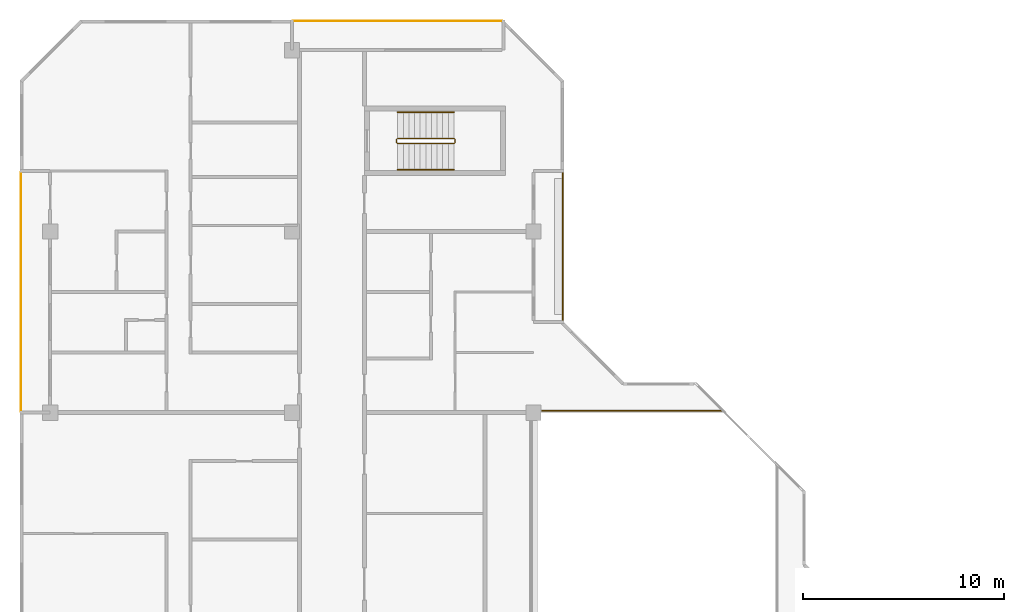
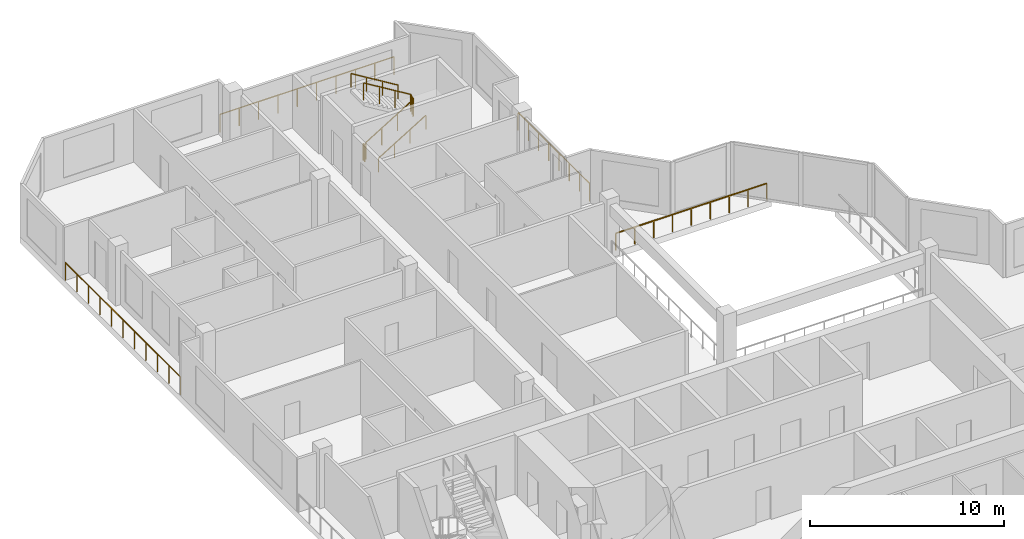
# One storey, part 12 of 12: 7 railings.
"""IFC4 building model written with IfcOpenShell, lengths in metres."""

from ifc_helpers import new_model, si_unit, direction, frame, origin, origin_2d, place, context, subcontext, project, spatial, rectangle, extrude, material, type_object, element, save


model = new_model("IFC4")

# Units and contexts
model_context = context("Model", 3, precision=1e-05, world=origin(), true_north=direction((0.0, 1.0)))
body_context = subcontext(model_context, "Body", "Model", "MODEL_VIEW")
ifc_project = project(units=[si_unit("LENGTHUNIT", "METRE"), si_unit("AREAUNIT", "SQUARE_METRE"), si_unit("VOLUMEUNIT", "CUBIC_METRE"), si_unit("PLANEANGLEUNIT", "RADIAN"), si_unit("MASSUNIT", "GRAM", prefix="KILO")], contexts=[model_context])

# Site, building, storey
site_placement = place(None, origin())
site = spatial("IfcSite", under=ifc_project, at=site_placement, CompositionType="ELEMENT")
building_placement = place(site_placement, origin())
building = spatial("IfcBuilding", under=site, at=building_placement, Name="Chenar Terraces", CompositionType="ELEMENT")
storey_placement = place(building_placement, frame((0.0, 0.0, 350.14990234375)))
storey = spatial("IfcBuildingStorey", under=building, at=storey_placement, Name="L81", CompositionType="ELEMENT", Elevation=350.14990234375)

# Railings
ifc_material_1 = material(Name="Powder-coated steel", Category="steel")
railing_type_1 = type_object("IfcRailingType", Name="Guard 1100 steel rail with glass infill", PredefinedType="GUARDRAIL", material=ifc_material_1)
railing_1_placement = place(storey_placement, frame((24.425048828125, 36.10009765625, 0.0)))
element("IfcRailing", 1, at=railing_1_placement, inside=storey, type_object=railing_type_1, Name="Guard L81-2", PredefinedType="GUARDRAIL", context=body_context, shape_type="SweptSolid", body=[
    extrude(rectangle(XDim=0.06005859375, YDim=0.06005859375, at=origin_2d()), frame((0.0, 0.0, 1.070068359375), z_axis=(1.0, 0.0, 0.0), x_axis=(0.0, 1.0, 0.0)), (0.0, 0.0, 1.0), 8.974853515625),
    extrude(rectangle(XDim=0.050048828125, YDim=0.050048828125, at=origin_2d()), origin(), (0.0, 0.0, 1.0), 1.0400390625),
    extrude(rectangle(XDim=0.050048828125, YDim=0.050048828125, at=origin_2d()), frame((1.121826171875, 0.0, 0.0)), (0.0, 0.0, 1.0), 1.0400390625),
    extrude(rectangle(XDim=0.050048828125, YDim=0.050048828125, at=origin_2d()), frame((2.24365234375, 0.0, 0.0)), (0.0, 0.0, 1.0), 1.0400390625),
    extrude(rectangle(XDim=0.050048828125, YDim=0.050048828125, at=origin_2d()), frame((3.365478515625, 0.0, 0.0)), (0.0, 0.0, 1.0), 1.0400390625),
    extrude(rectangle(XDim=0.050048828125, YDim=0.050048828125, at=origin_2d()), frame((4.4873046875, 0.0, 0.0)), (0.0, 0.0, 1.0), 1.0400390625),
    extrude(rectangle(XDim=0.050048828125, YDim=0.050048828125, at=origin_2d()), frame((5.609375, 0.0, 0.0)), (0.0, 0.0, 1.0), 1.0400390625),
    extrude(rectangle(XDim=0.050048828125, YDim=0.050048828125, at=origin_2d()), frame((6.731201171875, 0.0, 0.0)), (0.0, 0.0, 1.0), 1.0400390625),
    extrude(rectangle(XDim=0.050048828125, YDim=0.050048828125, at=origin_2d()), frame((7.85302734375, 0.0, 0.0)), (0.0, 0.0, 1.0), 1.0400390625),
    extrude(rectangle(XDim=0.050048828125, YDim=0.050048828125, at=origin_2d()), frame((8.974853515625, 0.0, 0.0)), (0.0, 0.0, 1.0), 1.0400390625),
])
ifc_material_2 = material(Name="Stainless steel and glass", Category="steel")
railing_type_2 = type_object("IfcRailingType", Name="Loggia guard 1150", PredefinedType="GUARDRAIL", material=ifc_material_2)
railing_2_placement = place(storey_placement, frame((25.449951171875, 40.574951171875, 0.0)))
element("IfcRailing", 2, at=railing_2_placement, inside=storey, type_object=railing_type_2, Name="Loggia guard", PredefinedType="GUARDRAIL", context=body_context, shape_type="SweptSolid", body=[
    extrude(rectangle(XDim=0.048095703125, YDim=0.048095703125, at=origin_2d()), frame((0.0, 0.0, 1.1259765625), z_axis=(0.0, 1.0, 0.0), x_axis=(-1.0, 0.0, 0.0)), (0.0, 0.0, 1.0), 7.35009765625),
    extrude(rectangle(XDim=0.0419921875, YDim=0.0419921875, at=origin_2d()), origin(), (0.0, 0.0, 1.0), 1.101806640625),
    extrude(rectangle(XDim=0.0419921875, YDim=0.0419921875, at=origin_2d()), frame((0.0, 1.050048828125, 0.0)), (0.0, 0.0, 1.0), 1.101806640625),
    extrude(rectangle(XDim=0.0419921875, YDim=0.0419921875, at=origin_2d()), frame((0.0, 2.10009765625, 0.0)), (0.0, 0.0, 1.0), 1.101806640625),
    extrude(rectangle(XDim=0.0419921875, YDim=0.0419921875, at=origin_2d()), frame((0.0, 3.150146484375, 0.0)), (0.0, 0.0, 1.0), 1.101806640625),
    extrude(rectangle(XDim=0.0419921875, YDim=0.0419921875, at=origin_2d()), frame((0.0, 4.199951171875, 0.0)), (0.0, 0.0, 1.0), 1.101806640625),
    extrude(rectangle(XDim=0.0419921875, YDim=0.0419921875, at=origin_2d()), frame((0.0, 5.25, 0.0)), (0.0, 0.0, 1.0), 1.101806640625),
    extrude(rectangle(XDim=0.0419921875, YDim=0.0419921875, at=origin_2d()), frame((0.0, 6.300048828125, 0.0)), (0.0, 0.0, 1.0), 1.101806640625),
    extrude(rectangle(XDim=0.0419921875, YDim=0.0419921875, at=origin_2d()), frame((0.0, 7.35009765625, 0.0)), (0.0, 0.0, 1.0), 1.101806640625),
])
railing_3_placement = place(storey_placement, frame((22.425048828125, 55.449951171875, 0.0)))
element("IfcRailing", 3, at=railing_3_placement, inside=storey, type_object=railing_type_2, Name="Loggia guard", PredefinedType="GUARDRAIL", context=body_context, shape_type="SweptSolid", body=[
    extrude(rectangle(XDim=0.048095703125, YDim=0.048095703125, at=origin_2d()), frame((0.0, 0.0, 1.1259765625), z_axis=(-1.0, 0.0, 0.0), x_axis=(0.0, -1.0, 0.0)), (0.0, 0.0, 1.0), 10.35009765625),
    extrude(rectangle(XDim=0.0419921875, YDim=0.0419921875, at=origin_2d()), origin(), (0.0, 0.0, 1.0), 1.101806640625),
    extrude(rectangle(XDim=0.0419921875, YDim=0.0419921875, at=origin_2d()), frame((-1.14990234375, 0.0, 0.0)), (0.0, 0.0, 1.0), 1.101806640625),
    extrude(rectangle(XDim=0.0419921875, YDim=0.0419921875, at=origin_2d()), frame((-2.300048828125, 0.0, 0.0)), (0.0, 0.0, 1.0), 1.101806640625),
    extrude(rectangle(XDim=0.0419921875, YDim=0.0419921875, at=origin_2d()), frame((-3.449951171875, 0.0, 0.0)), (0.0, 0.0, 1.0), 1.101806640625),
    extrude(rectangle(XDim=0.0419921875, YDim=0.0419921875, at=origin_2d()), frame((-4.60009765625, 0.0, 0.0)), (0.0, 0.0, 1.0), 1.101806640625),
    extrude(rectangle(XDim=0.0419921875, YDim=0.0419921875, at=origin_2d()), frame((-5.75, 0.0, 0.0)), (0.0, 0.0, 1.0), 1.101806640625),
    extrude(rectangle(XDim=0.0419921875, YDim=0.0419921875, at=origin_2d()), frame((-6.900146484375, 0.0, 0.0)), (0.0, 0.0, 1.0), 1.101806640625),
    extrude(rectangle(XDim=0.0419921875, YDim=0.0419921875, at=origin_2d()), frame((-8.050048828125, 0.0, 0.0)), (0.0, 0.0, 1.0), 1.101806640625),
    extrude(rectangle(XDim=0.0419921875, YDim=0.0419921875, at=origin_2d()), frame((-9.2001953125, 0.0, 0.0)), (0.0, 0.0, 1.0), 1.101806640625),
    extrude(rectangle(XDim=0.0419921875, YDim=0.0419921875, at=origin_2d()), frame((-10.35009765625, 0.0, 0.0)), (0.0, 0.0, 1.0), 1.101806640625),
])
railing_4_placement = place(storey_placement, frame((-1.449951171875, 47.925048828125, 0.0)))
element("IfcRailing", 4, at=railing_4_placement, inside=storey, type_object=railing_type_2, Name="Loggia guard", PredefinedType="GUARDRAIL", context=body_context, shape_type="SweptSolid", body=[
    extrude(rectangle(XDim=0.048095703125, YDim=0.048095703125, at=origin_2d()), frame((0.0, 0.0, 1.1259765625), z_axis=(0.0, -1.0, 0.0), x_axis=(1.0, 0.0, 0.0)), (0.0, 0.0, 1.0), 11.85009765625),
    extrude(rectangle(XDim=0.0419921875, YDim=0.0419921875, at=origin_2d()), origin(), (0.0, 0.0, 1.0), 1.101806640625),
    extrude(rectangle(XDim=0.0419921875, YDim=0.0419921875, at=origin_2d()), frame((0.0, -1.18505859375, 0.0)), (0.0, 0.0, 1.0), 1.101806640625),
    extrude(rectangle(XDim=0.0419921875, YDim=0.0419921875, at=origin_2d()), frame((0.0, -2.3701171875, 0.0)), (0.0, 0.0, 1.0), 1.101806640625),
    extrude(rectangle(XDim=0.0419921875, YDim=0.0419921875, at=origin_2d()), frame((0.0, -3.554931640625, 0.0)), (0.0, 0.0, 1.0), 1.101806640625),
    extrude(rectangle(XDim=0.0419921875, YDim=0.0419921875, at=origin_2d()), frame((0.0, -4.739990234375, 0.0)), (0.0, 0.0, 1.0), 1.101806640625),
    extrude(rectangle(XDim=0.0419921875, YDim=0.0419921875, at=origin_2d()), frame((0.0, -5.925048828125, 0.0)), (0.0, 0.0, 1.0), 1.101806640625),
    extrude(rectangle(XDim=0.0419921875, YDim=0.0419921875, at=origin_2d()), frame((0.0, -7.110107421875, 0.0)), (0.0, 0.0, 1.0), 1.101806640625),
    extrude(rectangle(XDim=0.0419921875, YDim=0.0419921875, at=origin_2d()), frame((0.0, -8.295166015625, 0.0)), (0.0, 0.0, 1.0), 1.101806640625),
    extrude(rectangle(XDim=0.0419921875, YDim=0.0419921875, at=origin_2d()), frame((0.0, -9.47998046875, 0.0)), (0.0, 0.0, 1.0), 1.101806640625),
    extrude(rectangle(XDim=0.0419921875, YDim=0.0419921875, at=origin_2d()), frame((0.0, -10.6650390625, 0.0)), (0.0, 0.0, 1.0), 1.101806640625),
    extrude(rectangle(XDim=0.0419921875, YDim=0.0419921875, at=origin_2d()), frame((0.0, -11.85009765625, 0.0)), (0.0, 0.0, 1.0), 1.101806640625),
])
ifc_material_3 = material(Name="Powder-coated steel", Category="steel")
railing_type_3 = type_object("IfcRailingType", Name="Stair guard 1100", PredefinedType="GUARDRAIL", material=ifc_material_3)
railing_5_placement = place(storey_placement, frame((17.25, 49.625, 3.75)))
element("IfcRailing", 5, at=railing_5_placement, inside=storey, type_object=railing_type_3, Name="L81 ST4 stair guard 1", PredefinedType="GUARDRAIL", context=body_context, shape_type="SweptSolid", body=[
    extrude(rectangle(XDim=0.048095703125, YDim=0.048095703125, at=origin_2d()), frame((0.0, 0.0, 1.076171875), z_axis=(0.854202870247, 0.0, -0.519939858505), x_axis=(0.0, 1.0, 0.0)), (0.0, 0.0, 1.0), 3.278076171875),
    extrude(rectangle(XDim=0.048095703125, YDim=0.048095703125, at=origin_2d()), frame((2.800048828125, 0.0, -0.62841796875), z_axis=(0.270899902878, -0.270899902878, -0.923702595667), x_axis=(0.707106781187, 0.707106781187, 0.0)), (0.0, 0.0, 1.0), 0.184814453125),
    extrude(rectangle(XDim=0.048095703125, YDim=0.048095703125, at=origin_2d()), frame((2.85009765625, -0.050048828125, -0.798828125), z_axis=(0.0, -1.0, 0.0), x_axis=(1.0, 0.0, 0.0)), (0.0, 0.0, 1.0), 0.14990234375),
    extrude(rectangle(XDim=0.048095703125, YDim=0.048095703125, at=origin_2d()), frame((2.85009765625, -0.199951171875, -0.798828125), z_axis=(-0.707106781187, -0.707106781187, 0.0), x_axis=(0.707106781187, -0.707106781187, 0.0)), (0.0, 0.0, 1.0), 0.07080078125),
    extrude(rectangle(XDim=0.048095703125, YDim=0.048095703125, at=origin_2d()), frame((2.800048828125, -0.25, -0.798828125), z_axis=(-0.854202870247, 0.0, -0.519939858505), x_axis=(0.0, -1.0, 0.0)), (0.0, 0.0, 1.0), 3.278076171875),
    extrude(rectangle(XDim=0.048095703125, YDim=0.048095703125, at=origin_2d()), frame((0.0, -0.25, -2.50341796875), z_axis=(-0.270899902878, 0.270899902878, -0.923702595667), x_axis=(-0.707106781187, -0.707106781187, 0.0)), (0.0, 0.0, 1.0), 0.184814453125),
    extrude(rectangle(XDim=0.048095703125, YDim=0.048095703125, at=origin_2d()), frame((-0.050048828125, -0.199951171875, -2.673828125), z_axis=(0.0, 1.0, 0.0), x_axis=(-1.0, 0.0, 0.0)), (0.0, 0.0, 1.0), 0.14990234375),
    extrude(rectangle(XDim=0.0419921875, YDim=0.0419921875, at=origin_2d()), origin(), (0.0, 0.0, 1.0), 1.052001953125),
    extrude(rectangle(XDim=0.0419921875, YDim=0.0419921875, at=origin_2d()), frame((0.933349609375, 0.0, -0.568115234375)), (0.0, 0.0, 1.0), 1.052001953125),
    extrude(rectangle(XDim=0.0419921875, YDim=0.0419921875, at=origin_2d()), frame((1.86669921875, 0.0, -1.13623046875)), (0.0, 0.0, 1.0), 1.052001953125),
    extrude(rectangle(XDim=0.0419921875, YDim=0.0419921875, at=origin_2d()), frame((2.800048828125, 0.0, -1.704345703125)), (0.0, 0.0, 1.0), 1.052001953125),
    extrude(rectangle(XDim=0.0419921875, YDim=0.0419921875, at=origin_2d()), frame((2.85009765625, -0.050048828125, -1.875)), (0.0, 0.0, 1.0), 1.052001953125),
    extrude(rectangle(XDim=0.0419921875, YDim=0.0419921875, at=origin_2d()), frame((2.85009765625, -0.199951171875, -1.875)), (0.0, 0.0, 1.0), 1.052001953125),
    extrude(rectangle(XDim=0.0419921875, YDim=0.0419921875, at=origin_2d()), frame((2.800048828125, -0.25, -1.875)), (0.0, 0.0, 1.0), 1.052001953125),
    extrude(rectangle(XDim=0.0419921875, YDim=0.0419921875, at=origin_2d()), frame((1.86669921875, -0.25, -2.443115234375)), (0.0, 0.0, 1.0), 1.052001953125),
    extrude(rectangle(XDim=0.0419921875, YDim=0.0419921875, at=origin_2d()), frame((0.933349609375, -0.25, -3.01123046875)), (0.0, 0.0, 1.0), 1.052001953125),
    extrude(rectangle(XDim=0.0419921875, YDim=0.0419921875, at=origin_2d()), frame((0.0, -0.25, -3.579345703125)), (0.0, 0.0, 1.0), 1.052001953125),
    extrude(rectangle(XDim=0.0419921875, YDim=0.0419921875, at=origin_2d()), frame((-0.050048828125, -0.199951171875, -3.75)), (0.0, 0.0, 1.0), 1.052001953125),
    extrude(rectangle(XDim=0.0419921875, YDim=0.0419921875, at=origin_2d()), frame((-0.050048828125, -0.050048828125, -3.75)), (0.0, 0.0, 1.0), 1.052001953125),
])
ifc_material_4 = material(Name="Powder-coated steel", Category="steel")
railing_type_4 = type_object("IfcRailingType", Name="Stair handrail 900", PredefinedType="HANDRAIL", material=ifc_material_4)
railing_6_placement = place(storey_placement, frame((17.25, 48.074951171875, 0.170654296875)))
element("IfcRailing", 6, at=railing_6_placement, inside=storey, type_object=railing_type_4, Name="L81 ST4 stair handrail 1", PredefinedType="HANDRAIL", context=body_context, shape_type="SweptSolid", body=[
    extrude(rectangle(XDim=0.048095703125, YDim=0.048095703125, at=origin_2d()), frame((0.0, 0.0, 0.8759765625), z_axis=(0.854202870247, 0.0, 0.519939858505), x_axis=(0.0, 1.0, 0.0)), (0.0, 0.0, 1.0), 3.278076171875),
    extrude(rectangle(XDim=0.0419921875, YDim=0.0419921875, at=origin_2d()), origin(), (0.0, 0.0, 1.0), 0.851806640625),
    extrude(rectangle(XDim=0.0419921875, YDim=0.0419921875, at=origin_2d()), frame((0.933349609375, 0.0, 0.568115234375)), (0.0, 0.0, 1.0), 0.851806640625),
    extrude(rectangle(XDim=0.0419921875, YDim=0.0419921875, at=origin_2d()), frame((1.86669921875, 0.0, 1.13623046875)), (0.0, 0.0, 1.0), 0.851806640625),
    extrude(rectangle(XDim=0.0419921875, YDim=0.0419921875, at=origin_2d()), frame((2.800048828125, 0.0, 1.704345703125)), (0.0, 0.0, 1.0), 0.851806640625),
])
railing_7_placement = place(storey_placement, frame((20.050048828125, 50.925048828125, 2.045654296875)))
element("IfcRailing", 7, at=railing_7_placement, inside=storey, type_object=railing_type_4, Name="L81 ST4 stair handrail 2", PredefinedType="HANDRAIL", context=body_context, shape_type="SweptSolid", body=[
    extrude(rectangle(XDim=0.048095703125, YDim=0.048095703125, at=origin_2d()), frame((0.0, 0.0, 0.8759765625), z_axis=(-0.854202870247, 0.0, 0.519939858505), x_axis=(0.0, -1.0, 0.0)), (0.0, 0.0, 1.0), 3.278076171875),
    extrude(rectangle(XDim=0.0419921875, YDim=0.0419921875, at=origin_2d()), origin(), (0.0, 0.0, 1.0), 0.851806640625),
    extrude(rectangle(XDim=0.0419921875, YDim=0.0419921875, at=origin_2d()), frame((-0.933349609375, 0.0, 0.568115234375)), (0.0, 0.0, 1.0), 0.851806640625),
    extrude(rectangle(XDim=0.0419921875, YDim=0.0419921875, at=origin_2d()), frame((-1.86669921875, 0.0, 1.13623046875)), (0.0, 0.0, 1.0), 0.851806640625),
    extrude(rectangle(XDim=0.0419921875, YDim=0.0419921875, at=origin_2d()), frame((-2.800048828125, 0.0, 1.704345703125)), (0.0, 0.0, 1.0), 0.851806640625),
])

save(model, "model.ifc")
